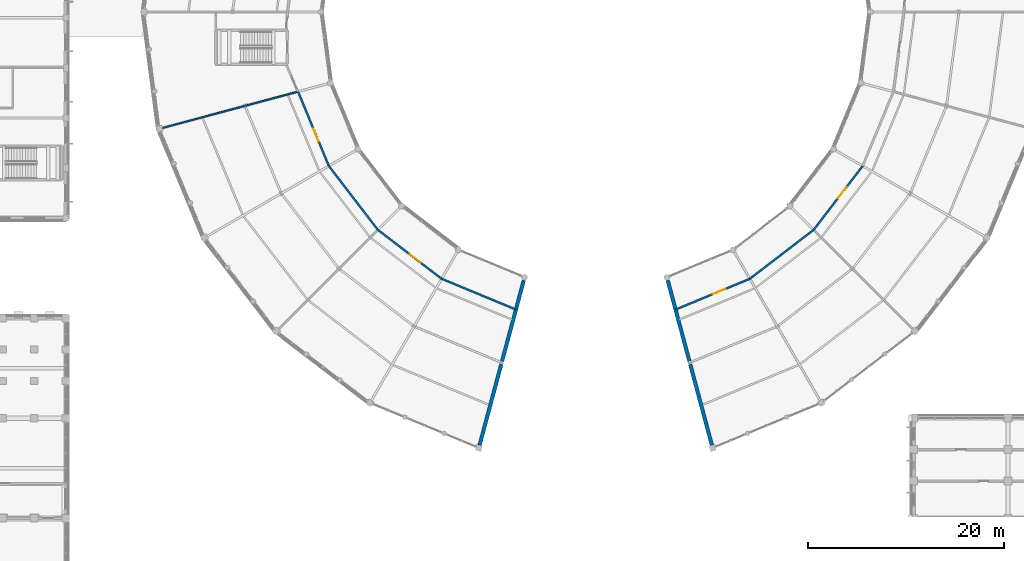
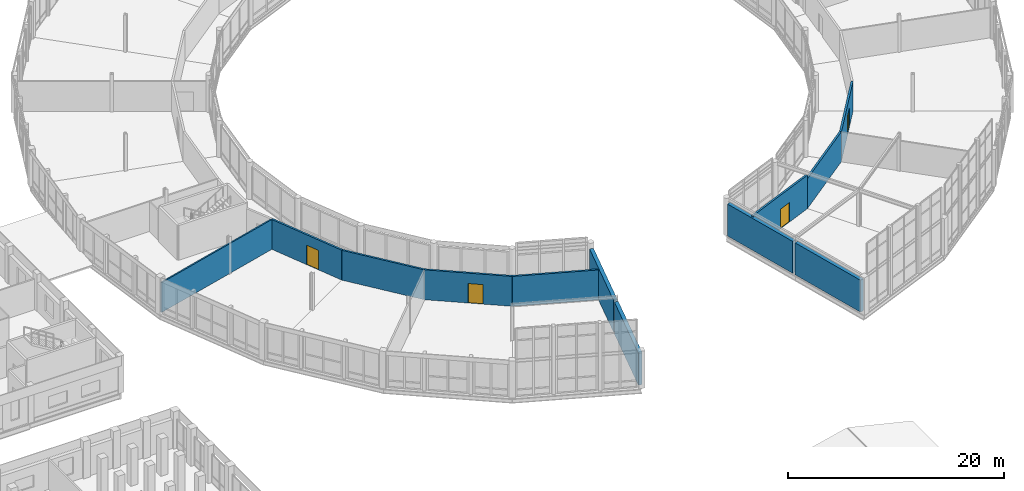
# One storey, part 140 of 170: 12 walls, 4 doors, 4 openings.
"""IFC4 building model written with IfcOpenShell, lengths in metres."""

import ifcopenshell
import ifcopenshell.guid

model = None  # the IFC model being written
_history = None  # IfcOwnerHistory: only IFC2X3 demands one
_inside = {}  # id of a spatial element -> (the spatial element, [elements in it])
_under = {}  # id of a project, library or spatial element -> (it, [spatial elements below it])
_declared = {}  # id of a project -> (the project, [libraries it declares])
_typed = {}  # id of a type object -> (the type object, [elements of that type])
_made_of = {}  # id of a material, layer set ... -> (it, [elements and type objects made of it])


def new_model(schema):
    """Start an empty IFC model of exactly this schema.

    Asked for "IFC4X3", IfcOpenShell would pick the latest addendum, in which some entities
    have other attributes; the version numbers below select the first issue.
    IFC2X3 requires an IfcOwnerHistory on every rooted entity: one is made here for all.
    """
    global model, _history
    if schema == "IFC4X3":
        model = ifcopenshell.file(schema_version=(4, 3, 0, 0))
    else:
        model = ifcopenshell.file(schema=schema)
    _inside.clear()
    _under.clear()
    _declared.clear()
    _typed.clear()
    _made_of.clear()
    _history = None
    if model.schema == "IFC2X3":
        org = make("IfcOrganization", Name="unknown")
        user = make(
            "IfcPersonAndOrganization",
            ThePerson=make("IfcPerson", FamilyName="unknown"),
            TheOrganization=org,
        )
        app = make(
            "IfcApplication",
            ApplicationDeveloper=org,
            Version="unknown",
            ApplicationFullName="unknown",
            ApplicationIdentifier="unknown",
        )
        _history = make(
            "IfcOwnerHistory",
            OwningUser=user,
            OwningApplication=app,
            ChangeAction="ADDED",
            CreationDate=0,
        )
    return model


def make(cls, **values):
    """One entity of the class cls with the attributes given. An attribute that is None is left unset."""
    return model.create_entity(
        cls, **{name: value for name, value in values.items() if value is not None}
    )


def rooted(cls, **values):
    """An entity with a GlobalId (a new one), such as an element, a storey or a relation."""
    return make(cls, GlobalId=ifcopenshell.guid.new(), OwnerHistory=_history, **values)


def si_unit(unit_type, name, prefix=None):
    """IfcSIUnit, for example si_unit("LENGTHUNIT", "METRE", prefix="MILLI")."""
    return make("IfcSIUnit", UnitType=unit_type, Prefix=prefix, Name=name)


def assignment(units):
    """IfcUnitAssignment: the units of a project."""
    return None if units is None else make("IfcUnitAssignment", Units=units)


def point(xyz):
    """IfcCartesianPoint."""
    return None if xyz is None else make("IfcCartesianPoint", Coordinates=xyz)


def direction(xyz):
    """IfcDirection."""
    return None if xyz is None else make("IfcDirection", DirectionRatios=xyz)


def frame(location, z_axis=None, x_axis=None):
    """IfcAxis2Placement3D, a coordinate frame: its origin and axes. An axis left out is left unset."""
    return make(
        "IfcAxis2Placement3D",
        Location=point(location),
        Axis=direction(z_axis),
        RefDirection=direction(x_axis),
    )


def frame_2d(location, x_axis=None):
    """IfcAxis2Placement2D, a coordinate frame in the plane: its origin and x axis."""
    return make(
        "IfcAxis2Placement2D", Location=point(location), RefDirection=direction(x_axis)
    )


def origin():
    """The frame at (0, 0, 0) with its axes left unset."""
    return frame((0.0, 0.0, 0.0))


def place(relative_to, where):
    """IfcLocalPlacement: puts the frame where relative to a parent placement (None: the world)."""
    return make(
        "IfcLocalPlacement", PlacementRelTo=relative_to, RelativePlacement=where
    )


def context(
    kind, dimensions, precision=None, world=None, true_north=None, identifier=None
):
    """IfcGeometricRepresentationContext, for example the 3D "Model" context."""
    return make(
        "IfcGeometricRepresentationContext",
        ContextIdentifier=identifier,
        ContextType=kind,
        CoordinateSpaceDimension=dimensions,
        Precision=precision,
        WorldCoordinateSystem=world,
        TrueNorth=true_north,
    )


def subcontext(parent, identifier, kind, view, scale=None):
    """IfcGeometricRepresentationSubContext, for example "Body" below "Model"."""
    return make(
        "IfcGeometricRepresentationSubContext",
        ContextIdentifier=identifier,
        ContextType=kind,
        ParentContext=parent,
        TargetScale=scale,
        TargetView=view,
    )


def project(units=None, contexts=None):
    """IfcProject with its units and contexts."""
    return rooted(
        "IfcProject",
        Name="project",
        RepresentationContexts=contexts,
        UnitsInContext=assignment(units),
    )


def spatial(cls, under=None, at=None, **own):
    """A site, building, storey or space (cls), placed at a placement, below another one or the project."""
    s = rooted(cls, ObjectPlacement=at, **own)
    if under is not None:
        _under.setdefault(under.id(), (under, []))[1].append(s)
    return s


def profile(cls, at=None, kind="AREA", **sizes):
    """A parametric profile (cls). Its sizes go by their IFC names, for example OverallWidth=200.0."""
    return make(cls, ProfileType=kind, Position=at, **sizes)


def rectangle(**sizes):
    """IfcRectangleProfileDef."""
    return profile("IfcRectangleProfileDef", **sizes)


def extrude(swept, where, along, depth):
    """IfcExtrudedAreaSolid: the profile swept, set in the frame where, extruded along a direction by depth."""
    return make(
        "IfcExtrudedAreaSolid",
        SweptArea=swept,
        Position=where,
        ExtrudedDirection=direction(along),
        Depth=depth,
    )


def shape(context_of_items, identifier, shape_type, items):
    """IfcShapeRepresentation: the items that make up one representation, for example the "Body"."""
    return make(
        "IfcShapeRepresentation",
        ContextOfItems=context_of_items,
        RepresentationIdentifier=identifier,
        RepresentationType=shape_type,
        Items=items,
    )


def material(Name=None, Category=None):
    """IfcMaterial."""
    return make("IfcMaterial", Name=Name, Category=Category)


def layer(
    of_material, thickness, ventilated=None, Name=None, Category=None, Priority=None
):
    """IfcMaterialLayer: one layer of a wall or slab, of a material (None: an air gap)."""
    return make(
        "IfcMaterialLayer",
        Material=of_material,
        LayerThickness=thickness,
        IsVentilated=ventilated,
        Name=Name,
        Category=Category,
        Priority=Priority,
    )


def layer_set(layers, Name=None):
    """IfcMaterialLayerSet."""
    return make("IfcMaterialLayerSet", MaterialLayers=layers, LayerSetName=Name)


def made_of(thing, what):
    """Note that an element or type object is made of a material, layer set ...; save() writes the relation."""
    if what is not None:
        _made_of.setdefault(what.id(), (what, []))[1].append(thing)
    return thing


def type_object(cls, material=None, **own):
    """A type object (cls), such as IfcWallType, which elements share."""
    return made_of(rooted(cls, **own), material)


def element(
    cls,
    number,
    at=None,
    inside=None,
    cuts=None,
    type_object=None,
    material=None,
    context=None,
    identifier="Body",
    shape_type=None,
    held_by="IfcProductDefinitionShape",
    body=None,
    shapes=None,
    **own,
):
    """One element of the class cls, such as IfcWall. Its Tag is "e" and its number.

    at: its placement. inside: the storey or other place that contains it. cuts: it is an
    opening in that element (IfcRelVoidsElement). A single representation is given by context,
    identifier, shape_type and body (its items); several are given by shapes. held_by: the class
    of the entity that holds the representations. save() writes the other relations.
    """
    e = rooted(cls, Tag="e%d" % number, ObjectPlacement=at, **own)
    if body is not None:
        shapes = [shape(context, identifier, shape_type, body)]
    if shapes is not None:
        e.Representation = make(held_by, Representations=shapes)
    if inside is not None:
        _inside.setdefault(inside.id(), (inside, []))[1].append(e)
    if cuts is not None:
        rooted(
            "IfcRelVoidsElement", RelatingBuildingElement=cuts, RelatedOpeningElement=e
        )
    if type_object is not None:
        _typed.setdefault(type_object.id(), (type_object, []))[1].append(e)
    return made_of(e, material)


def fill(opening, filler):
    """IfcRelFillsElement: the door or window that sits in an opening."""
    return rooted(
        "IfcRelFillsElement",
        RelatingOpeningElement=opening,
        RelatedBuildingElement=filler,
    )


def aggregate(whole, parts):
    """IfcRelAggregates: a whole, such as a stair, and the parts it consists of."""
    return rooted("IfcRelAggregates", RelatingObject=whole, RelatedObjects=parts)


def save(model, path):
    """Write the relations noted so far, then the file.

    IfcRelAggregates (storeys below a building ...), IfcRelContainedInSpatialStructure (elements
    in a storey), IfcRelDefinesByType, IfcRelAssociatesMaterial and IfcRelDeclares: one each for
    every whole, place, type object, material and project.
    """
    for whole, parts in _under.values():
        aggregate(whole, parts)
    for where, things in _inside.values():
        rooted(
            "IfcRelContainedInSpatialStructure",
            RelatedElements=things,
            RelatingStructure=where,
        )
    for kind, things in _typed.values():
        rooted("IfcRelDefinesByType", RelatedObjects=things, RelatingType=kind)
    for what, things in _made_of.values():
        rooted("IfcRelAssociatesMaterial", RelatedObjects=things, RelatingMaterial=what)
    for by, libraries in _declared.values():
        rooted("IfcRelDeclares", RelatingContext=by, RelatedDefinitions=libraries)
    model.write(path)


model = new_model("IFC4")

# Units and contexts
model_context = context("Model", 3, precision=1e-05, world=origin(), true_north=direction((0.0, 1.0)))
body_context = subcontext(model_context, "Body", "Model", "MODEL_VIEW")
ifc_project = project(units=[si_unit("LENGTHUNIT", "METRE"), si_unit("AREAUNIT", "SQUARE_METRE"), si_unit("VOLUMEUNIT", "CUBIC_METRE"), si_unit("PLANEANGLEUNIT", "RADIAN"), si_unit("MASSUNIT", "GRAM", prefix="KILO")], contexts=[model_context])

# Site, building, storey
site_placement = place(None, origin())
site = spatial("IfcSite", under=ifc_project, at=site_placement, CompositionType="ELEMENT")
building_placement = place(site_placement, origin())
building = spatial("IfcBuilding", under=site, at=building_placement, Name="Vondelvale Polytechnic", CompositionType="ELEMENT")
storey_placement = place(building_placement, frame((0.0, 0.0, 5.39990234375)))
storey = spatial("IfcBuildingStorey", under=building, at=storey_placement, Name="L01", CompositionType="ELEMENT", Elevation=5.39990234375)

# Walls
ifc_material_1 = material(Name="Amsterdam School iron-spot clinker clay brickwork", Category="masonry")
ifc_layer_1 = layer(ifc_material_1, 0.3798828125)
ifc_layer_set_1 = layer_set([ifc_layer_1], Name="WL-BRICK-380")
wall_type_1 = type_object("IfcWallType", Name="WL-BRICK-380", PredefinedType="SOLIDWALL", material=ifc_layer_set_1)
wall_1_placement = place(storey_placement, frame((94.675537109375, 44.66455078125, 0.0), z_axis=(0.0, 0.0, 1.0), x_axis=(-0.258836566499, -0.965921131275, 0.0)))
element("IfcWall", 1, at=wall_1_placement, inside=storey, type_object=wall_type_1, Name="L01 exterior masonry facade wall", PredefinedType="SOLIDWALL", context=body_context, shape_type="SweptSolid", body=[
    extrude(rectangle(XDim=8.541748046875, YDim=0.3798828125, at=frame_2d((4.27099609375, 0.0))), origin(), (0.0, 0.0, 1.0), 3.60009765625),
])
for number, where, z_axis, x_axis, name in (
    (2, (92.3828125, 36.107666015625, 0.0), (0.0, 0.0, 1.0), (-0.25884563037, -0.965918702396, 0.0), "L01 exterior masonry facade wall"),
    (3, (113.827880859375, 27.858154296875, 0.0), (0.0, 0.0, 1.0), (-0.25884563037, 0.965918702396, 0.0), "L01 exterior masonry facade wall"),
):
    element("IfcWall", number, at=place(storey_placement, frame(where, z_axis=z_axis, x_axis=x_axis)), inside=storey, type_object=wall_type_1, Name=name, PredefinedType="SOLIDWALL", context=body_context, shape_type="SweptSolid", body=[
        extrude(rectangle(XDim=8.54052734375, YDim=0.3798828125, at=frame_2d((4.270263671875, 0.0))), origin(), (0.0, 0.0, 1.0), 3.60009765625),
    ])
wall_2_placement = place(storey_placement, frame((111.535400390625, 36.413818359375, 0.0), z_axis=(0.0, 0.0, 1.0), x_axis=(-0.258836566499, 0.965921131275, 0.0)))
element("IfcWall", 4, at=wall_2_placement, inside=storey, type_object=wall_type_1, Name="L01 exterior masonry facade wall", PredefinedType="SOLIDWALL", context=body_context, shape_type="SweptSolid", body=[
    extrude(rectangle(XDim=8.541748046875, YDim=0.3798828125, at=frame_2d((4.27099609375, 0.0))), origin(), (0.0, 0.0, 1.0), 3.60009765625),
])

# Wall, opening, door
ifc_material_2 = material(Name="Fire-rated double-layer plasterboard stud partition")
ifc_layer_2 = layer(ifc_material_2, 0.199951171875)
ifc_layer_set_2 = layer_set([ifc_layer_2], Name="WL-CORR-200")
wall_type_2 = type_object("IfcWallType", Name="WL-CORR-200", PredefinedType="PARTITIONING", material=ifc_layer_set_2)
wall_3_placement = place(storey_placement, frame((110.126953125, 41.669921875, 0.0), z_axis=(0.0, 0.0, 1.0), x_axis=(0.923874167149, 0.382696385238, 0.0)))
wall_3 = element("IfcWall", 5, at=wall_3_placement, inside=storey, type_object=wall_type_2, Name="L01 interior acoustic partition", PredefinedType="PARTITIONING", context=body_context, shape_type="SweptSolid", body=[
    extrude(rectangle(XDim=8.197021484375, YDim=0.199951171875, at=frame_2d((4.0986328125, 0.0))), origin(), (0.0, 0.0, 1.0), 3.777099609375),
])
opening_1_placement = place(wall_3_placement, frame((4.10009765625, 0.0, 0.0)))
opening_1 = element("IfcOpeningElement", 6, at=opening_1_placement, cuts=wall_3, Name="Opening ID-0311", PredefinedType="OPENING", context=body_context, shape_type="SweptSolid", body=[
    extrude(rectangle(XDim=1.39990234375, YDim=2.199951171875, at=frame_2d((0.699951171875, 1.10009765625))), frame((0.0, 0.10986328125, 0.0), z_axis=(0.0, -1.0, 0.0), x_axis=(1.0, 0.0, 0.0)), (0.0, 0.0, 1.0), 0.219970703125),
])
ifc_material_3 = material(Name="Fire-rated solid Tasmanian oak joinery")
door_type = type_object("IfcDoorType", Name="DR-LAB-1400x2200", OperationType="DOUBLE_DOOR_SINGLE_SWING", PredefinedType="DOOR", material=ifc_material_3)
door_1_placement = place(opening_1_placement, origin())
door_1 = element("IfcDoor", 7, at=door_1_placement, inside=storey, type_object=door_type, Name="L01 interior room door ID-0311", OperationType="DOUBLE_DOOR_SINGLE_SWING", OverallHeight=2.199951171875, OverallWidth=1.39990234375, PredefinedType="DOOR", context=body_context, shape_type="SweptSolid", body=[
    extrude(rectangle(XDim=1.39990234375, YDim=2.199951171875, at=frame_2d((0.699951171875, 1.10009765625))), frame((0.0, 0.02490234375, 0.0), z_axis=(0.0, -1.0, 0.0), x_axis=(1.0, 0.0, 0.0)), (0.0, 0.0, 1.0), 0.050048828125),
])
fill(opening_1, door_1)

# Wall
wall_4_placement = place(storey_placement, frame((117.699951171875, 44.806884765625, 0.0), z_axis=(0.0, 0.0, 1.0), x_axis=(0.793357497113, 0.608756011694, 0.0)))
element("IfcWall", 8, at=wall_4_placement, inside=storey, type_object=wall_type_2, Name="L01 interior acoustic partition", PredefinedType="PARTITIONING", context=body_context, shape_type="SweptSolid", body=[
    extrude(rectangle(XDim=8.197021484375, YDim=0.199951171875, at=frame_2d((4.0986328125, 0.0))), origin(), (0.0, 0.0, 1.0), 3.3720703125),
])

# Wall, opening, door
wall_5_placement = place(storey_placement, frame((124.203125, 49.796875, 0.0), z_axis=(0.0, 0.0, 1.0), x_axis=(0.608756011694, 0.793357497113, 0.0)))
wall_5 = element("IfcWall", 9, at=wall_5_placement, inside=storey, type_object=wall_type_2, Name="L01 interior acoustic partition", PredefinedType="PARTITIONING", context=body_context, shape_type="SweptSolid", body=[
    extrude(rectangle(XDim=8.197021484375, YDim=0.199951171875, at=frame_2d((4.0986328125, 0.0))), origin(), (0.0, 0.0, 1.0), 3.3720703125),
])
opening_2_placement = place(wall_5_placement, frame((4.10009765625, 0.0, 0.0)))
opening_2 = element("IfcOpeningElement", 10, at=opening_2_placement, cuts=wall_5, Name="Opening ID-0312", PredefinedType="OPENING", context=body_context, shape_type="SweptSolid", body=[
    extrude(rectangle(XDim=1.39990234375, YDim=2.199951171875, at=frame_2d((0.699951171875, 1.10009765625))), frame((0.0, 0.10986328125, 0.0), z_axis=(0.0, -1.0, 0.0), x_axis=(1.0, 0.0, 0.0)), (0.0, 0.0, 1.0), 0.219970703125),
])
door_2_placement = place(opening_2_placement, origin())
door_2 = element("IfcDoor", 11, at=door_2_placement, inside=storey, type_object=door_type, Name="L01 interior room door ID-0312", OperationType="DOUBLE_DOOR_SINGLE_SWING", OverallHeight=2.199951171875, OverallWidth=1.39990234375, PredefinedType="DOOR", context=body_context, shape_type="SweptSolid", body=[
    extrude(rectangle(XDim=1.39990234375, YDim=2.199951171875, at=frame_2d((0.699951171875, 1.10009765625))), frame((0.0, 0.02490234375, 0.0), z_axis=(0.0, -1.0, 0.0), x_axis=(1.0, 0.0, 0.0)), (0.0, 0.0, 1.0), 0.050048828125),
])
fill(opening_2, door_2)

wall_6_placement = place(storey_placement, frame((71.669921875, 63.873046875, 0.0), z_axis=(0.0, 0.0, 1.0), x_axis=(0.382696385238, -0.923874167149, 0.0)))
wall_6 = element("IfcWall", 12, at=wall_6_placement, inside=storey, type_object=wall_type_2, Name="L01 interior acoustic partition", PredefinedType="PARTITIONING", context=body_context, shape_type="SweptSolid", body=[
    extrude(rectangle(XDim=8.197021484375, YDim=0.199951171875, at=frame_2d((4.0986328125, 0.0))), origin(), (0.0, 0.0, 1.0), 3.3720703125),
])
opening_3_placement = place(wall_6_placement, frame((4.10009765625, 0.0, 0.0)))
opening_3 = element("IfcOpeningElement", 13, at=opening_3_placement, cuts=wall_6, Name="Opening ID-0318", PredefinedType="OPENING", context=body_context, shape_type="SweptSolid", body=[
    extrude(rectangle(XDim=1.39990234375, YDim=2.199951171875, at=frame_2d((0.699951171875, 1.10009765625))), frame((0.0, 0.10986328125, 0.0), z_axis=(0.0, -1.0, 0.0), x_axis=(1.0, 0.0, 0.0)), (0.0, 0.0, 1.0), 0.219970703125),
])
door_3_placement = place(opening_3_placement, origin())
door_3 = element("IfcDoor", 14, at=door_3_placement, inside=storey, type_object=door_type, Name="L01 interior room door ID-0318", OperationType="DOUBLE_DOOR_SINGLE_SWING", OverallHeight=2.199951171875, OverallWidth=1.39990234375, PredefinedType="DOOR", context=body_context, shape_type="SweptSolid", body=[
    extrude(rectangle(XDim=1.39990234375, YDim=2.199951171875, at=frame_2d((0.699951171875, 1.10009765625))), frame((0.0, 0.02490234375, 0.0), z_axis=(0.0, -1.0, 0.0), x_axis=(1.0, 0.0, 0.0)), (0.0, 0.0, 1.0), 0.050048828125),
])
fill(opening_3, door_3)

# Wall
wall_7_placement = place(storey_placement, frame((74.806884765625, 56.300048828125, 0.0), z_axis=(0.0, 0.0, 1.0), x_axis=(0.608756011694, -0.793357497113, 0.0)))
element("IfcWall", 15, at=wall_7_placement, inside=storey, type_object=wall_type_2, Name="L01 interior acoustic partition", PredefinedType="PARTITIONING", context=body_context, shape_type="SweptSolid", body=[
    extrude(rectangle(XDim=8.197021484375, YDim=0.199951171875, at=frame_2d((4.0986328125, 0.0))), origin(), (0.0, 0.0, 1.0), 3.3720703125),
])

# Wall, opening, door
wall_8_placement = place(storey_placement, frame((79.796875, 49.796875, 0.0), z_axis=(0.0, 0.0, 1.0), x_axis=(0.793357497113, -0.608756011694, 0.0)))
wall_8 = element("IfcWall", 16, at=wall_8_placement, inside=storey, type_object=wall_type_2, Name="L01 interior acoustic partition", PredefinedType="PARTITIONING", context=body_context, shape_type="SweptSolid", body=[
    extrude(rectangle(XDim=8.197021484375, YDim=0.199951171875, at=frame_2d((4.0986328125, 0.0))), origin(), (0.0, 0.0, 1.0), 3.3720703125),
])
opening_4_placement = place(wall_8_placement, frame((4.10009765625, 0.0, 0.0)))
opening_4 = element("IfcOpeningElement", 17, at=opening_4_placement, cuts=wall_8, Name="Opening ID-0319", PredefinedType="OPENING", context=body_context, shape_type="SweptSolid", body=[
    extrude(rectangle(XDim=1.39990234375, YDim=2.199951171875, at=frame_2d((0.699951171875, 1.10009765625))), frame((0.0, 0.10986328125, 0.0), z_axis=(0.0, -1.0, 0.0), x_axis=(1.0, 0.0, 0.0)), (0.0, 0.0, 1.0), 0.219970703125),
])
door_4_placement = place(opening_4_placement, origin())
door_4 = element("IfcDoor", 18, at=door_4_placement, inside=storey, type_object=door_type, Name="L01 interior room door ID-0319", OperationType="DOUBLE_DOOR_SINGLE_SWING", OverallHeight=2.199951171875, OverallWidth=1.39990234375, PredefinedType="DOOR", context=body_context, shape_type="SweptSolid", body=[
    extrude(rectangle(XDim=1.39990234375, YDim=2.199951171875, at=frame_2d((0.699951171875, 1.10009765625))), frame((0.0, 0.02490234375, 0.0), z_axis=(0.0, -1.0, 0.0), x_axis=(1.0, 0.0, 0.0)), (0.0, 0.0, 1.0), 0.050048828125),
])
fill(opening_4, door_4)

# Walls
wall_9_placement = place(storey_placement, frame((86.300048828125, 44.806884765625, 0.0), z_axis=(0.0, 0.0, 1.0), x_axis=(0.923874167149, -0.382696385238, 0.0)))
element("IfcWall", 19, at=wall_9_placement, inside=storey, type_object=wall_type_2, Name="L01 interior acoustic partition", PredefinedType="PARTITIONING", context=body_context, shape_type="SweptSolid", body=[
    extrude(rectangle(XDim=8.197021484375, YDim=0.199951171875, at=frame_2d((4.0986328125, 0.0))), origin(), (0.0, 0.0, 1.0), 3.3720703125),
])
ifc_layer_3 = layer(ifc_material_2, 0.14990234375)
ifc_layer_set_3 = layer_set([ifc_layer_3], Name="WL-INT-150")
wall_type_3 = type_object("IfcWallType", Name="WL-INT-150", PredefinedType="PARTITIONING", material=ifc_layer_set_3)
wall_10_placement = place(storey_placement, frame((71.669921875, 63.873046875, 0.0), z_axis=(0.0, 0.0, 1.0), x_axis=(-0.965928107853, -0.258810530041, 0.0)))
element("IfcWall", 20, at=wall_10_placement, inside=storey, type_object=wall_type_3, Name="L01 interior acoustic partition", PredefinedType="PARTITIONING", context=body_context, shape_type="SweptSolid", body=[
    extrude(rectangle(XDim=14.47998046875, YDim=0.14990234375, at=frame_2d((7.239990234375, 0.0))), origin(), (0.0, 0.0, 1.0), 3.3671875),
])

save(model, "model.ifc")
